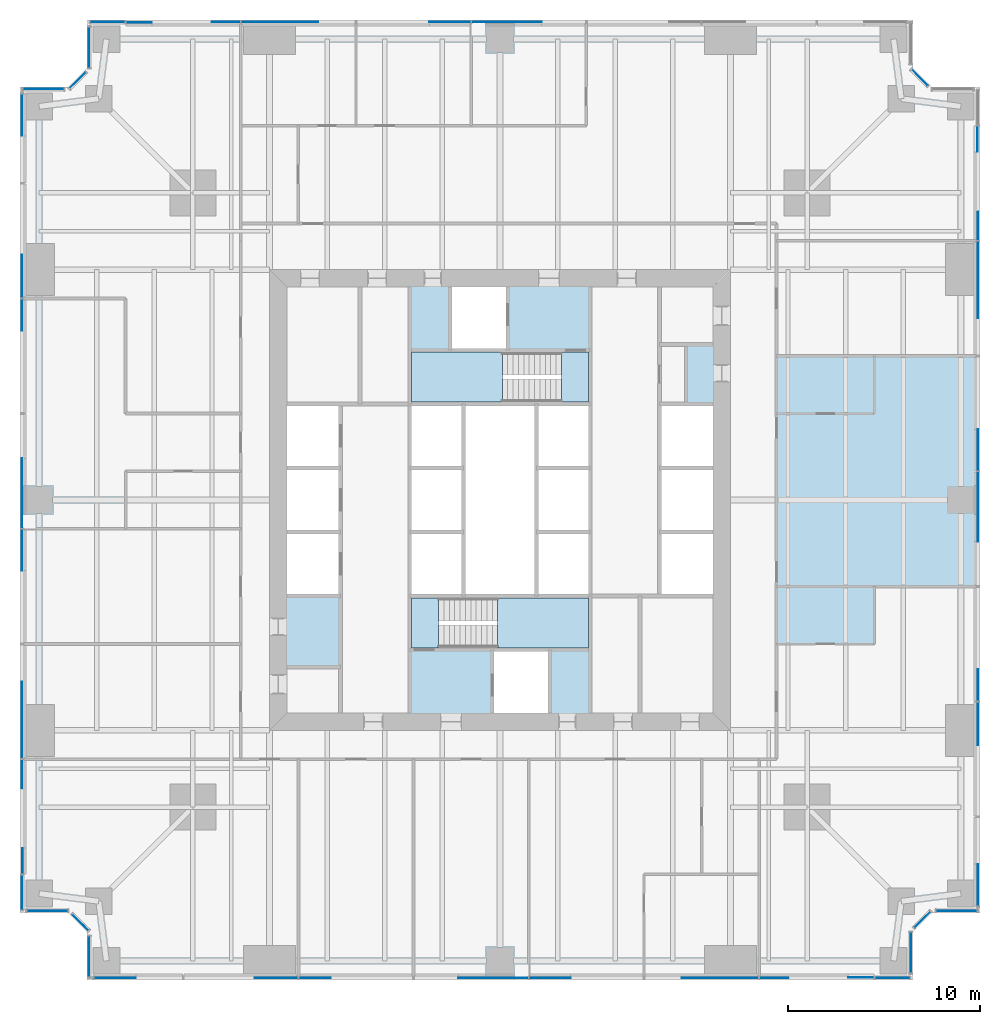
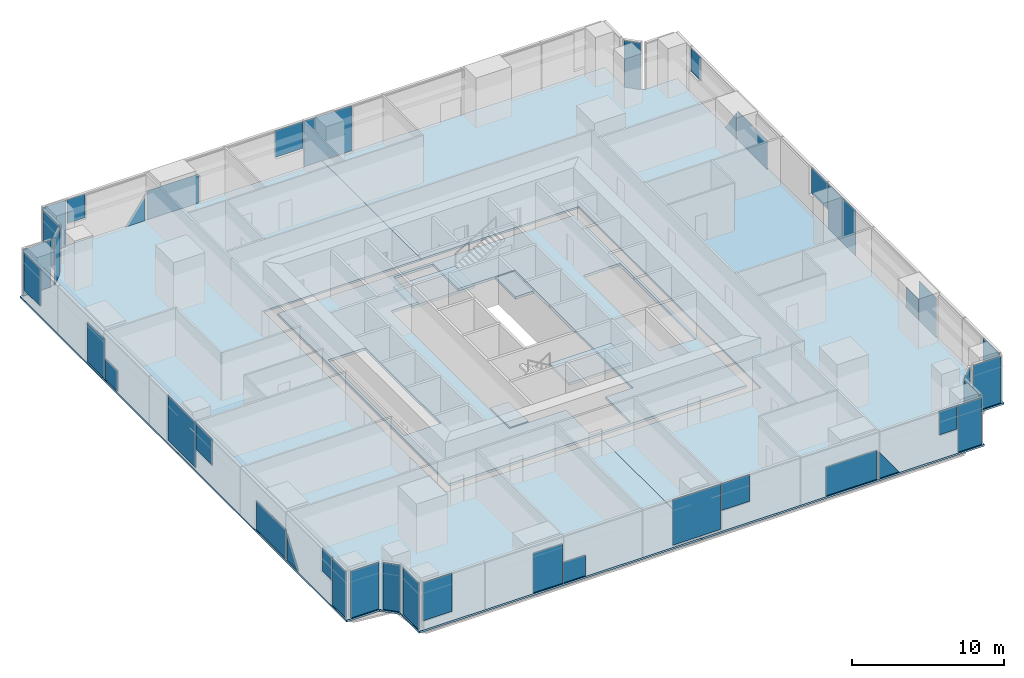
# One storey, part 8 of 14: 42 plates, 7 slabs, 16 elements without a shape of their own.
"""IFC4 building model written with IfcOpenShell, lengths in metres."""

from ifc_helpers import new_model, si_unit, direction, frame, origin, origin_2d, place, context, subcontext, project, spatial, polyline, rectangle, outline, extrude, material, layer, layer_set, type_object, element, aggregate, save


model = new_model("IFC4")

# Units and contexts
model_context = context("Model", 3, precision=1e-05, world=origin(), true_north=direction((0.0, 1.0)))
body_context = subcontext(model_context, "Body", "Model", "MODEL_VIEW")
ifc_project = project(units=[si_unit("LENGTHUNIT", "METRE"), si_unit("AREAUNIT", "SQUARE_METRE"), si_unit("VOLUMEUNIT", "CUBIC_METRE"), si_unit("PLANEANGLEUNIT", "RADIAN"), si_unit("MASSUNIT", "GRAM", prefix="KILO")], contexts=[model_context])

# Site, building, storey
site_placement = place(None, origin())
site = spatial("IfcSite", under=ifc_project, at=site_placement, CompositionType="ELEMENT")
building_placement = place(site_placement, origin())
building = spatial("IfcBuilding", under=site, at=building_placement, Name="Fenwick Lantern Interchange", CompositionType="ELEMENT")
storey_placement = place(building_placement, frame((0.0, 0.0, 71.0)))
storey = spatial("IfcBuildingStorey", under=building, at=storey_placement, Name="L16", CompositionType="ELEMENT", Elevation=71.0)

# Slabs
ifc_material_1 = material(Name="Concrete f'c 35 MPa", Category="concrete")
ifc_layer_1 = layer(ifc_material_1, 0.199951171875)
ifc_layer_set_1 = layer_set([ifc_layer_1], Name="CORE FLOOR SLAB 200")
slab_type_1 = type_object("IfcSlabType", Name="CORE FLOOR SLAB 200", PredefinedType="FLOOR", material=ifc_layer_set_1)
slab_1_placement = place(storey_placement, frame((0.0, 0.0, -0.199951171875)))
element("IfcSlab", 1, at=slab_1_placement, inside=storey, type_object=slab_type_1, Name="L16/SLAB/CORE", PredefinedType="FLOOR", context=body_context, shape_type="SweptSolid", body=[
    extrude(outline(polyline([(13.699951171875, 36.300048828125), (36.300048828125, 36.300048828125), (36.300048828125, 13.699951171875), (13.699951171875, 13.699951171875), (13.699951171875, 36.300048828125)]), holes=[polyline([(13.89990234375, 20.0), (16.699951171875, 20.0), (16.699951171875, 23.333251953125), (16.699951171875, 26.666748046875), (16.699951171875, 30.0), (13.89990234375, 30.0), (13.89990234375, 26.666748046875), (13.89990234375, 23.333251953125), (13.89990234375, 20.0)]), polyline([(20.300048828125, 20.0), (20.300048828125, 17.199951171875), (24.60009765625, 17.199951171875), (24.60009765625, 13.89990234375), (27.60009765625, 13.89990234375), (27.60009765625, 17.199951171875), (29.699951171875, 17.199951171875), (29.699951171875, 20.0), (29.699951171875, 23.333251953125), (29.699951171875, 26.666748046875), (29.699951171875, 30.0), (29.699951171875, 32.800048828125), (25.39990234375, 32.800048828125), (25.39990234375, 36.10009765625), (22.39990234375, 36.10009765625), (22.39990234375, 32.800048828125), (20.300048828125, 32.800048828125), (20.300048828125, 30.0), (20.300048828125, 26.666748046875), (20.300048828125, 23.333251953125), (20.300048828125, 20.0)]), polyline([(33.300048828125, 23.333251953125), (33.300048828125, 20.0), (36.10009765625, 20.0), (36.10009765625, 23.333251953125), (36.10009765625, 26.666748046875), (36.10009765625, 30.0), (33.300048828125, 30.0), (33.300048828125, 26.666748046875), (33.300048828125, 23.333251953125)])]), origin(), (0.0, 0.0, 1.0), 0.199951171875),
])
ifc_material_2 = material(Name="Concrete f'c 35 MPa", Category="concrete")
ifc_layer_2 = layer(ifc_material_2, 0.14990234375)
ifc_layer_set_2 = layer_set([ifc_layer_2], Name="Concrete f'c 35 MPa")
slab_type_2 = type_object("IfcSlabType", Name="FLOOR SLAB 150", PredefinedType="FLOOR", material=ifc_layer_set_2)
slab_2_placement = place(storey_placement, frame((0.0, 0.0, -0.14990234375)))
element("IfcSlab", 2, at=slab_2_placement, inside=storey, type_object=slab_type_2, Name="L16/SLAB/FW", PredefinedType="FLOOR", context=body_context, shape_type="SweptSolid", body=[
    extrude(outline(polyline([(3.5, 0.0), (3.5, 2.5), (2.5, 3.5), (0.0, 3.5), (0.0, 46.5), (2.5, 46.5), (3.5, 47.5), (3.5, 50.0), (25.0, 50.0), (25.0, 37.0), (13.0, 37.0), (13.0, 13.0), (25.0, 13.0), (25.0, 0.0), (3.5, 0.0)])), origin(), (0.0, 0.0, 1.0), 0.14990234375),
])
slab_3_placement = place(storey_placement, frame((0.0, 0.0, -0.14990234375)))
element("IfcSlab", 3, at=slab_3_placement, inside=storey, type_object=slab_type_2, Name="L16/SLAB/FE", PredefinedType="FLOOR", context=body_context, shape_type="SweptSolid", body=[
    extrude(outline(polyline([(46.5, 50.0), (46.5, 47.5), (47.5, 46.5), (50.0, 46.5), (50.0, 3.5), (47.5, 3.5), (46.5, 2.5), (46.5, 0.0), (25.0, 0.0), (25.0, 13.0), (37.0, 13.0), (37.0, 37.0), (25.0, 37.0), (25.0, 50.0), (46.5, 50.0)])), origin(), (0.0, 0.0, 1.0), 0.14990234375),
])

# Curtain wall, plates
ifc_material_3 = material(Name="Aluminium curtain wall frame", Category="aluminium")
curtain_wall_type = type_object("IfcCurtainWallType", Name="OFFICE CURTAIN WALL", PredefinedType="USERDEFINED", material=ifc_material_3)
curtain_wall_1_placement = place(storey_placement, origin())
curtain_wall_1 = element("IfcCurtainWall", 4, at=curtain_wall_1_placement, inside=storey, type_object=curtain_wall_type, Name="Office curtain wall 01", ObjectType="OFFICE CURTAIN WALL", PredefinedType="USERDEFINED")
ifc_material_4 = material(Name="Vision glass, clear low-iron double glazed", Category="glass")
ifc_layer_3 = layer(ifc_material_4, 0.031982421875)
ifc_layer_set_3 = layer_set([ifc_layer_3], Name="OFFICE CURTAIN WALL PANEL 32")
plate_type = type_object("IfcPlateType", Name="OFFICE CURTAIN WALL PANEL 32", PredefinedType="CURTAIN_PANEL", material=ifc_layer_set_3)
plate_1_placement = place(storey_placement, frame((3.60009765625, 0.10009765625, 0.68212890625), z_axis=(0.0, 0.0, 1.0), x_axis=(1.0, 0.0, 0.0)))
plate_1 = element("IfcPlate", 5, at=plate_1_placement, type_object=plate_type, Name="L16/CW/01/P00a", PredefinedType="CURTAIN_PANEL", context=body_context, shape_type="SweptSolid", body=[
    extrude(outline(polyline([(0.264892578125, 0.0), (2.43994140625, 0.0), (2.43994140625, 3.06787109375), (0.264892578125, 3.06787109375), (0.264892578125, 0.0)])), frame((0.0, 0.01611328125, 0.0), z_axis=(0.0, -1.0, 0.0), x_axis=(1.0, 0.0, 0.0)), (0.0, 0.0, 1.0), 0.031982421875),
])
plate_2_placement = place(storey_placement, frame((3.60009765625, 0.10009765625, 0.0), z_axis=(0.0, 0.0, 1.0), x_axis=(1.0, 0.0, 0.0)))
plate_2 = element("IfcPlate", 6, at=plate_2_placement, type_object=plate_type, Name="L16/CW/01/P01a", PredefinedType="CURTAIN_PANEL", context=body_context, shape_type="SweptSolid", body=[
    extrude(outline(polyline([(8.618408203125, 0.0), (10.867431640625, 0.0), (10.867431640625, 3.176513671875), (8.618408203125, 3.176513671875), (8.618408203125, 0.0)])), frame((0.0, 0.01611328125, 0.0), z_axis=(0.0, -1.0, 0.0), x_axis=(1.0, 0.0, 0.0)), (0.0, 0.0, 1.0), 0.031982421875),
])
plate_3_placement = place(storey_placement, frame((3.60009765625, 0.10009765625, 0.0), z_axis=(0.0, 0.0, 1.0), x_axis=(1.0, 0.0, 0.0)))
plate_3 = element("IfcPlate", 7, at=plate_3_placement, type_object=plate_type, Name="L16/CW/01/P02a", PredefinedType="CURTAIN_PANEL", context=body_context, shape_type="SweptSolid", body=[
    extrude(outline(polyline([(10.9326171875, 0.0), (12.592529296875, 0.0), (12.592529296875, 1.656005859375), (10.9326171875, 1.656005859375), (10.9326171875, 0.0)])), frame((0.0, 0.01611328125, 0.0), z_axis=(0.0, -1.0, 0.0), x_axis=(1.0, 0.0, 0.0)), (0.0, 0.0, 1.0), 0.031982421875),
])
plate_4_placement = place(storey_placement, frame((3.60009765625, 0.10009765625, 0.112060546875), z_axis=(0.0, 0.0, 1.0), x_axis=(1.0, 0.0, 0.0)))
plate_4 = element("IfcPlate", 8, at=plate_4_placement, type_object=plate_type, Name="L16/CW/01/P03a", PredefinedType="CURTAIN_PANEL", context=body_context, shape_type="SweptSolid", body=[
    extrude(outline(polyline([(19.2275390625, 0.0), (22.867431640625, 0.0), (22.867431640625, 3.637939453125), (19.2275390625, 3.637939453125), (19.2275390625, 0.0)])), frame((0.0, 0.01611328125, 0.0), z_axis=(0.0, -1.0, 0.0), x_axis=(1.0, 0.0, 0.0)), (0.0, 0.0, 1.0), 0.031982421875),
])
plate_5_placement = place(storey_placement, frame((3.60009765625, 0.10009765625, 1.612060546875), z_axis=(0.0, 0.0, 1.0), x_axis=(1.0, 0.0, 0.0)))
plate_5 = element("IfcPlate", 9, at=plate_5_placement, type_object=plate_type, Name="L16/CW/01/P04a", PredefinedType="CURTAIN_PANEL", context=body_context, shape_type="SweptSolid", body=[
    extrude(outline(polyline([(22.9326171875, 0.0), (25.072509765625, 0.0), (25.072509765625, 2.137939453125), (22.9326171875, 2.137939453125), (22.9326171875, 0.0)])), frame((0.0, 0.01611328125, 0.0), z_axis=(0.0, -1.0, 0.0), x_axis=(1.0, 0.0, 0.0)), (0.0, 0.0, 1.0), 0.031982421875),
])
plate_6_placement = place(storey_placement, frame((3.60009765625, 0.10009765625, 0.0), z_axis=(0.0, 0.0, 1.0), x_axis=(1.0, 0.0, 0.0)))
plate_6 = element("IfcPlate", 10, at=plate_6_placement, type_object=plate_type, Name="L16/CW/01/P05a", PredefinedType="CURTAIN_PANEL", context=body_context, shape_type="SweptSolid", body=[
    extrude(outline(polyline([(30.87255859375, 0.0), (34.78759765625, 0.0), (34.78759765625, 2.32080078125), (30.87255859375, 2.32080078125), (30.87255859375, 0.0)])), frame((0.0, 0.01611328125, 0.0), z_axis=(0.0, -1.0, 0.0), x_axis=(1.0, 0.0, 0.0)), (0.0, 0.0, 1.0), 0.031982421875),
])
plate_7_placement = place(storey_placement, frame((3.60009765625, 0.10009765625, 0.0), z_axis=(0.0, 0.0, 1.0), x_axis=(1.0, 0.0, 0.0)))
plate_7 = element("IfcPlate", 11, at=plate_7_placement, type_object=plate_type, Name="L16/CW/01/P06a", PredefinedType="CURTAIN_PANEL", context=body_context, shape_type="SweptSolid", body=[
    extrude(outline(polyline([(34.9326171875, 0.0), (36.431640625, 0.0), (34.9326171875, 2.116455078125), (34.9326171875, 0.0)])), frame((0.0, 0.01611328125, 0.0), z_axis=(0.0, -1.0, 0.0), x_axis=(1.0, 0.0, 0.0)), (0.0, 0.0, 1.0), 0.031982421875),
])
plate_8_placement = place(storey_placement, frame((3.60009765625, 0.10009765625, 1.858154296875), z_axis=(0.0, 0.0, 1.0), x_axis=(1.0, 0.0, 0.0)))
plate_8 = element("IfcPlate", 12, at=plate_8_placement, type_object=plate_type, Name="L16/CW/01/P06b", PredefinedType="CURTAIN_PANEL", context=body_context, shape_type="SweptSolid", body=[
    extrude(outline(polyline([(39.527099609375, 0.0), (40.867431640625, 0.0), (40.867431640625, 1.891845703125), (39.527099609375, 1.891845703125), (39.527099609375, 0.0)])), frame((0.0, 0.0498046875, 0.0), z_axis=(0.0, -1.0, 0.0), x_axis=(1.0, 0.0, 0.0)), (0.0, 0.0, 1.0), 0.031982421875),
])
plate_9_placement = place(storey_placement, frame((45.433837890625, 0.10009765625, 0.0), z_axis=(0.0, 0.0, 1.0), x_axis=(1.0, 0.0, 0.0)))
plate_9 = element("IfcPlate", 13, at=plate_9_placement, type_object=plate_type, Name="L16/CW/01/P07", PredefinedType="CURTAIN_PANEL", context=body_context, shape_type="SweptSolid", body=[
    extrude(rectangle(XDim=1.802490234375, YDim=0.031982421875, at=origin_2d()), origin(), (0.0, 0.0, 1.0), 3.75),
])
aggregate(curtain_wall_1, [plate_1, plate_2, plate_3, plate_4, plate_5, plate_6, plate_7, plate_8, plate_9])

# Curtain wall, plate
curtain_wall_2_placement = place(storey_placement, origin())
curtain_wall_2 = element("IfcCurtainWall", 14, at=curtain_wall_2_placement, inside=storey, type_object=curtain_wall_type, Name="Office curtain wall 02", ObjectType="OFFICE CURTAIN WALL", PredefinedType="USERDEFINED")
plate_10_placement = place(storey_placement, frame((46.39990234375, 1.420654296875, 0.0), z_axis=(0.0, 0.0, 1.0), x_axis=(0.0, 1.0, 0.0)))
plate_10 = element("IfcPlate", 15, at=plate_10_placement, type_object=plate_type, Name="L16/CW/02/P00", PredefinedType="CURTAIN_PANEL", context=body_context, shape_type="SweptSolid", body=[
    extrude(rectangle(XDim=2.111328125, YDim=0.031982421875, at=origin_2d()), origin(), (0.0, 0.0, 1.0), 3.75),
])
aggregate(curtain_wall_2, [plate_10])

curtain_wall_3_placement = place(storey_placement, origin())
curtain_wall_3 = element("IfcCurtainWall", 16, at=curtain_wall_3_placement, inside=storey, type_object=curtain_wall_type, Name="Office curtain wall 03", ObjectType="OFFICE CURTAIN WALL", PredefinedType="USERDEFINED")
plate_11_placement = place(storey_placement, frame((47.0, 3.141357421875, 0.0), z_axis=(0.0, 0.0, 1.0), x_axis=(0.707106781187, 0.707106781187, 0.0)))
plate_11 = element("IfcPlate", 17, at=plate_11_placement, type_object=plate_type, Name="L16/CW/03/P00", PredefinedType="CURTAIN_PANEL", context=body_context, shape_type="SweptSolid", body=[
    extrude(rectangle(XDim=1.1669921875, YDim=0.031982421875, at=origin_2d()), origin(), (0.0, 0.0, 1.0), 3.75),
])
aggregate(curtain_wall_3, [plate_11])

curtain_wall_4_placement = place(storey_placement, origin())
curtain_wall_4 = element("IfcCurtainWall", 18, at=curtain_wall_4_placement, inside=storey, type_object=curtain_wall_type, Name="Office curtain wall 04", ObjectType="OFFICE CURTAIN WALL", PredefinedType="USERDEFINED")
plate_12_placement = place(storey_placement, frame((48.779296875, 3.60009765625, 0.0), z_axis=(0.0, 0.0, 1.0), x_axis=(1.0, 0.0, 0.0)))
plate_12 = element("IfcPlate", 19, at=plate_12_placement, type_object=plate_type, Name="L16/CW/04/P00", PredefinedType="CURTAIN_PANEL", context=body_context, shape_type="SweptSolid", body=[
    extrude(rectangle(XDim=2.111328125, YDim=0.031982421875, at=origin_2d()), origin(), (0.0, 0.0, 1.0), 3.75),
])
aggregate(curtain_wall_4, [plate_12])

# Curtain wall, plates
curtain_wall_5_placement = place(storey_placement, origin())
curtain_wall_5 = element("IfcCurtainWall", 20, at=curtain_wall_5_placement, inside=storey, type_object=curtain_wall_type, Name="Office curtain wall 05", ObjectType="OFFICE CURTAIN WALL", PredefinedType="USERDEFINED")
plate_13_placement = place(storey_placement, frame((49.89990234375, 3.60009765625, 0.68212890625), z_axis=(0.0, 0.0, 1.0), x_axis=(0.0, 1.0, 0.0)))
plate_13 = element("IfcPlate", 21, at=plate_13_placement, type_object=plate_type, Name="L16/CW/05/P00a", PredefinedType="CURTAIN_PANEL", context=body_context, shape_type="SweptSolid", body=[
    extrude(outline(polyline([(0.264892578125, 0.0), (2.43994140625, 0.0), (2.43994140625, 3.06787109375), (0.264892578125, 3.06787109375), (0.264892578125, 0.0)])), frame((0.0, 0.01611328125, 0.0), z_axis=(0.0, -1.0, 0.0), x_axis=(1.0, 0.0, 0.0)), (0.0, 0.0, 1.0), 0.031982421875),
])
plate_14_placement = place(storey_placement, frame((49.89990234375, 3.60009765625, 0.0), z_axis=(0.0, 0.0, 1.0), x_axis=(0.0, 1.0, 0.0)))
plate_14 = element("IfcPlate", 22, at=plate_14_placement, type_object=plate_type, Name="L16/CW/05/P01a", PredefinedType="CURTAIN_PANEL", context=body_context, shape_type="SweptSolid", body=[
    extrude(outline(polyline([(8.618408203125, 0.0), (10.867431640625, 0.0), (10.867431640625, 3.176513671875), (8.618408203125, 3.176513671875), (8.618408203125, 0.0)])), frame((0.0, 0.01611328125, 0.0), z_axis=(0.0, -1.0, 0.0), x_axis=(1.0, 0.0, 0.0)), (0.0, 0.0, 1.0), 0.031982421875),
])
plate_15_placement = place(storey_placement, frame((49.89990234375, 3.60009765625, 0.0), z_axis=(0.0, 0.0, 1.0), x_axis=(0.0, 1.0, 0.0)))
plate_15 = element("IfcPlate", 23, at=plate_15_placement, type_object=plate_type, Name="L16/CW/05/P02a", PredefinedType="CURTAIN_PANEL", context=body_context, shape_type="SweptSolid", body=[
    extrude(outline(polyline([(10.9326171875, 0.0), (12.592529296875, 0.0), (12.592529296875, 1.656005859375), (10.9326171875, 1.656005859375), (10.9326171875, 0.0)])), frame((0.0, 0.01611328125, 0.0), z_axis=(0.0, -1.0, 0.0), x_axis=(1.0, 0.0, 0.0)), (0.0, 0.0, 1.0), 0.031982421875),
])
plate_16_placement = place(storey_placement, frame((49.89990234375, 3.60009765625, 0.112060546875), z_axis=(0.0, 0.0, 1.0), x_axis=(0.0, 1.0, 0.0)))
plate_16 = element("IfcPlate", 24, at=plate_16_placement, type_object=plate_type, Name="L16/CW/05/P03a", PredefinedType="CURTAIN_PANEL", context=body_context, shape_type="SweptSolid", body=[
    extrude(outline(polyline([(19.2275390625, 0.0), (22.867431640625, 0.0), (22.867431640625, 3.637939453125), (19.2275390625, 3.637939453125), (19.2275390625, 0.0)])), frame((0.0, 0.01611328125, 0.0), z_axis=(0.0, -1.0, 0.0), x_axis=(1.0, 0.0, 0.0)), (0.0, 0.0, 1.0), 0.031982421875),
])
plate_17_placement = place(storey_placement, frame((49.89990234375, 3.60009765625, 1.612060546875), z_axis=(0.0, 0.0, 1.0), x_axis=(0.0, 1.0, 0.0)))
plate_17 = element("IfcPlate", 25, at=plate_17_placement, type_object=plate_type, Name="L16/CW/05/P04a", PredefinedType="CURTAIN_PANEL", context=body_context, shape_type="SweptSolid", body=[
    extrude(outline(polyline([(22.9326171875, 0.0), (25.072509765625, 0.0), (25.072509765625, 2.137939453125), (22.9326171875, 2.137939453125), (22.9326171875, 0.0)])), frame((0.0, 0.01611328125, 0.0), z_axis=(0.0, -1.0, 0.0), x_axis=(1.0, 0.0, 0.0)), (0.0, 0.0, 1.0), 0.031982421875),
])
plate_18_placement = place(storey_placement, frame((49.89990234375, 3.60009765625, 0.0), z_axis=(0.0, 0.0, 1.0), x_axis=(0.0, 1.0, 0.0)))
plate_18 = element("IfcPlate", 26, at=plate_18_placement, type_object=plate_type, Name="L16/CW/05/P05a", PredefinedType="CURTAIN_PANEL", context=body_context, shape_type="SweptSolid", body=[
    extrude(outline(polyline([(30.87255859375, 0.0), (34.78759765625, 0.0), (34.78759765625, 2.32080078125), (30.87255859375, 2.32080078125), (30.87255859375, 0.0)])), frame((0.0, 0.01611328125, 0.0), z_axis=(0.0, -1.0, 0.0), x_axis=(1.0, 0.0, 0.0)), (0.0, 0.0, 1.0), 0.031982421875),
])
plate_19_placement = place(storey_placement, frame((49.89990234375, 3.60009765625, 0.0), z_axis=(0.0, 0.0, 1.0), x_axis=(0.0, 1.0, 0.0)))
plate_19 = element("IfcPlate", 27, at=plate_19_placement, type_object=plate_type, Name="L16/CW/05/P06a", PredefinedType="CURTAIN_PANEL", context=body_context, shape_type="SweptSolid", body=[
    extrude(outline(polyline([(34.9326171875, 0.0), (36.431640625, 0.0), (34.9326171875, 2.116455078125), (34.9326171875, 0.0)])), frame((0.0, 0.01611328125, 0.0), z_axis=(0.0, -1.0, 0.0), x_axis=(1.0, 0.0, 0.0)), (0.0, 0.0, 1.0), 0.031982421875),
])
plate_20_placement = place(storey_placement, frame((49.89990234375, 3.60009765625, 1.858154296875), z_axis=(0.0, 0.0, 1.0), x_axis=(0.0, 1.0, 0.0)))
plate_20 = element("IfcPlate", 28, at=plate_20_placement, type_object=plate_type, Name="L16/CW/05/P06b", PredefinedType="CURTAIN_PANEL", context=body_context, shape_type="SweptSolid", body=[
    extrude(outline(polyline([(39.527099609375, 0.0), (40.867431640625, 0.0), (40.867431640625, 1.891845703125), (39.527099609375, 1.891845703125), (39.527099609375, 0.0)])), frame((0.0, 0.0498046875, 0.0), z_axis=(0.0, -1.0, 0.0), x_axis=(1.0, 0.0, 0.0)), (0.0, 0.0, 1.0), 0.031982421875),
])
aggregate(curtain_wall_5, [plate_13, plate_14, plate_15, plate_16, plate_17, plate_18, plate_19, plate_20])

# Curtain wall, plate
curtain_wall_6_placement = place(storey_placement, origin())
curtain_wall_6 = element("IfcCurtainWall", 29, at=curtain_wall_6_placement, inside=storey, type_object=curtain_wall_type, Name="Office curtain wall 07", ObjectType="OFFICE CURTAIN WALL", PredefinedType="USERDEFINED")
plate_21_placement = place(storey_placement, frame((46.858642578125, 47.0, 0.0), z_axis=(0.0, 0.0, 1.0), x_axis=(-0.707106781187, 0.707106781187, 0.0)))
plate_21 = element("IfcPlate", 30, at=plate_21_placement, type_object=plate_type, Name="L16/CW/07/P00", PredefinedType="CURTAIN_PANEL", context=body_context, shape_type="SweptSolid", body=[
    extrude(rectangle(XDim=1.1669921875, YDim=0.031982421875, at=origin_2d()), origin(), (0.0, 0.0, 1.0), 3.75),
])
aggregate(curtain_wall_6, [plate_21])

# Curtain wall, plates
curtain_wall_7_placement = place(storey_placement, origin())
curtain_wall_7 = element("IfcCurtainWall", 31, at=curtain_wall_7_placement, inside=storey, type_object=curtain_wall_type, Name="Office curtain wall 09", ObjectType="OFFICE CURTAIN WALL", PredefinedType="USERDEFINED")
plate_22_placement = place(storey_placement, frame((46.39990234375, 49.89990234375, 0.112060546875), z_axis=(0.0, 0.0, 1.0), x_axis=(-1.0, 0.0, 0.0)))
plate_22 = element("IfcPlate", 32, at=plate_22_placement, type_object=plate_type, Name="L16/CW/09/P03a", PredefinedType="CURTAIN_PANEL", context=body_context, shape_type="SweptSolid", body=[
    extrude(outline(polyline([(19.2275390625, 0.0), (22.867431640625, 0.0), (22.867431640625, 3.637939453125), (19.2275390625, 3.637939453125), (19.2275390625, 0.0)])), frame((0.0, 0.01611328125, 0.0), z_axis=(0.0, -1.0, 0.0), x_axis=(1.0, 0.0, 0.0)), (0.0, 0.0, 1.0), 0.031982421875),
])
plate_23_placement = place(storey_placement, frame((46.39990234375, 49.89990234375, 1.612060546875), z_axis=(0.0, 0.0, 1.0), x_axis=(-1.0, 0.0, 0.0)))
plate_23 = element("IfcPlate", 33, at=plate_23_placement, type_object=plate_type, Name="L16/CW/09/P04a", PredefinedType="CURTAIN_PANEL", context=body_context, shape_type="SweptSolid", body=[
    extrude(outline(polyline([(22.9326171875, 0.0), (25.072509765625, 0.0), (25.072509765625, 2.137939453125), (22.9326171875, 2.137939453125), (22.9326171875, 0.0)])), frame((0.0, 0.01611328125, 0.0), z_axis=(0.0, -1.0, 0.0), x_axis=(1.0, 0.0, 0.0)), (0.0, 0.0, 1.0), 0.031982421875),
])
plate_24_placement = place(storey_placement, frame((46.39990234375, 49.89990234375, 0.0), z_axis=(0.0, 0.0, 1.0), x_axis=(-1.0, 0.0, 0.0)))
plate_24 = element("IfcPlate", 34, at=plate_24_placement, type_object=plate_type, Name="L16/CW/09/P05a", PredefinedType="CURTAIN_PANEL", context=body_context, shape_type="SweptSolid", body=[
    extrude(outline(polyline([(30.87255859375, 0.0), (34.78759765625, 0.0), (34.78759765625, 2.32080078125), (30.87255859375, 2.32080078125), (30.87255859375, 0.0)])), frame((0.0, 0.01611328125, 0.0), z_axis=(0.0, -1.0, 0.0), x_axis=(1.0, 0.0, 0.0)), (0.0, 0.0, 1.0), 0.031982421875),
])
plate_25_placement = place(storey_placement, frame((46.39990234375, 49.89990234375, 0.0), z_axis=(0.0, 0.0, 1.0), x_axis=(-1.0, 0.0, 0.0)))
plate_25 = element("IfcPlate", 35, at=plate_25_placement, type_object=plate_type, Name="L16/CW/09/P06a", PredefinedType="CURTAIN_PANEL", context=body_context, shape_type="SweptSolid", body=[
    extrude(outline(polyline([(34.9326171875, 0.0), (36.431640625, 0.0), (34.9326171875, 2.116455078125), (34.9326171875, 0.0)])), frame((0.0, 0.01611328125, 0.0), z_axis=(0.0, -1.0, 0.0), x_axis=(1.0, 0.0, 0.0)), (0.0, 0.0, 1.0), 0.031982421875),
])
plate_26_placement = place(storey_placement, frame((46.39990234375, 49.89990234375, 1.858154296875), z_axis=(0.0, 0.0, 1.0), x_axis=(-1.0, 0.0, 0.0)))
plate_26 = element("IfcPlate", 36, at=plate_26_placement, type_object=plate_type, Name="L16/CW/09/P06b", PredefinedType="CURTAIN_PANEL", context=body_context, shape_type="SweptSolid", body=[
    extrude(outline(polyline([(39.527099609375, 0.0), (40.867431640625, 0.0), (40.867431640625, 1.891845703125), (39.527099609375, 1.891845703125), (39.527099609375, 0.0)])), frame((0.0, 0.0498046875, 0.0), z_axis=(0.0, -1.0, 0.0), x_axis=(1.0, 0.0, 0.0)), (0.0, 0.0, 1.0), 0.031982421875),
])
plate_27_placement = place(storey_placement, frame((4.566162109375, 49.89990234375, 0.0), z_axis=(0.0, 0.0, 1.0), x_axis=(-1.0, 0.0, 0.0)))
plate_27 = element("IfcPlate", 37, at=plate_27_placement, type_object=plate_type, Name="L16/CW/09/P07", PredefinedType="CURTAIN_PANEL", context=body_context, shape_type="SweptSolid", body=[
    extrude(rectangle(XDim=1.802490234375, YDim=0.031982421875, at=origin_2d()), origin(), (0.0, 0.0, 1.0), 3.75),
])
aggregate(curtain_wall_7, [plate_22, plate_23, plate_24, plate_25, plate_26, plate_27])

# Curtain wall, plate
curtain_wall_8_placement = place(storey_placement, origin())
curtain_wall_8 = element("IfcCurtainWall", 38, at=curtain_wall_8_placement, inside=storey, type_object=curtain_wall_type, Name="Office curtain wall 10", ObjectType="OFFICE CURTAIN WALL", PredefinedType="USERDEFINED")
plate_28_placement = place(storey_placement, frame((3.60009765625, 48.579345703125, 0.0), z_axis=(0.0, 0.0, 1.0), x_axis=(0.0, -1.0, 0.0)))
plate_28 = element("IfcPlate", 39, at=plate_28_placement, type_object=plate_type, Name="L16/CW/10/P00", PredefinedType="CURTAIN_PANEL", context=body_context, shape_type="SweptSolid", body=[
    extrude(rectangle(XDim=2.111328125, YDim=0.031982421875, at=origin_2d()), origin(), (0.0, 0.0, 1.0), 3.75),
])
aggregate(curtain_wall_8, [plate_28])

curtain_wall_9_placement = place(storey_placement, origin())
curtain_wall_9 = element("IfcCurtainWall", 40, at=curtain_wall_9_placement, inside=storey, type_object=curtain_wall_type, Name="Office curtain wall 11", ObjectType="OFFICE CURTAIN WALL", PredefinedType="USERDEFINED")
plate_29_placement = place(storey_placement, frame((3.0, 46.858642578125, 0.0), z_axis=(0.0, 0.0, 1.0), x_axis=(-0.707106781187, -0.707106781187, 0.0)))
plate_29 = element("IfcPlate", 41, at=plate_29_placement, type_object=plate_type, Name="L16/CW/11/P00", PredefinedType="CURTAIN_PANEL", context=body_context, shape_type="SweptSolid", body=[
    extrude(rectangle(XDim=1.1669921875, YDim=0.031982421875, at=origin_2d()), origin(), (0.0, 0.0, 1.0), 3.75),
])
aggregate(curtain_wall_9, [plate_29])

curtain_wall_10_placement = place(storey_placement, origin())
curtain_wall_10 = element("IfcCurtainWall", 42, at=curtain_wall_10_placement, inside=storey, type_object=curtain_wall_type, Name="Office curtain wall 12", ObjectType="OFFICE CURTAIN WALL", PredefinedType="USERDEFINED")
plate_30_placement = place(storey_placement, frame((1.220703125, 46.39990234375, 0.0), z_axis=(0.0, 0.0, 1.0), x_axis=(-1.0, 0.0, 0.0)))
plate_30 = element("IfcPlate", 43, at=plate_30_placement, type_object=plate_type, Name="L16/CW/12/P00", PredefinedType="CURTAIN_PANEL", context=body_context, shape_type="SweptSolid", body=[
    extrude(rectangle(XDim=2.111328125, YDim=0.031982421875, at=origin_2d()), origin(), (0.0, 0.0, 1.0), 3.75),
])
aggregate(curtain_wall_10, [plate_30])

# Curtain wall, plates
curtain_wall_11_placement = place(storey_placement, origin())
curtain_wall_11 = element("IfcCurtainWall", 44, at=curtain_wall_11_placement, inside=storey, type_object=curtain_wall_type, Name="Office curtain wall 13", ObjectType="OFFICE CURTAIN WALL", PredefinedType="USERDEFINED")
plate_31_placement = place(storey_placement, frame((0.10009765625, 46.39990234375, 0.68212890625), z_axis=(0.0, 0.0, 1.0), x_axis=(0.0, -1.0, 0.0)))
plate_31 = element("IfcPlate", 45, at=plate_31_placement, type_object=plate_type, Name="L16/CW/13/P00a", PredefinedType="CURTAIN_PANEL", context=body_context, shape_type="SweptSolid", body=[
    extrude(outline(polyline([(0.264892578125, 0.0), (2.43994140625, 0.0), (2.43994140625, 3.06787109375), (0.264892578125, 3.06787109375), (0.264892578125, 0.0)])), frame((0.0, 0.01611328125, 0.0), z_axis=(0.0, -1.0, 0.0), x_axis=(1.0, 0.0, 0.0)), (0.0, 0.0, 1.0), 0.031982421875),
])
plate_32_placement = place(storey_placement, frame((0.10009765625, 46.39990234375, 0.0), z_axis=(0.0, 0.0, 1.0), x_axis=(0.0, -1.0, 0.0)))
plate_32 = element("IfcPlate", 46, at=plate_32_placement, type_object=plate_type, Name="L16/CW/13/P01a", PredefinedType="CURTAIN_PANEL", context=body_context, shape_type="SweptSolid", body=[
    extrude(outline(polyline([(8.618408203125, 0.0), (10.867431640625, 0.0), (10.867431640625, 3.176513671875), (8.618408203125, 3.176513671875), (8.618408203125, 0.0)])), frame((0.0, 0.01611328125, 0.0), z_axis=(0.0, -1.0, 0.0), x_axis=(1.0, 0.0, 0.0)), (0.0, 0.0, 1.0), 0.031982421875),
])
plate_33_placement = place(storey_placement, frame((0.10009765625, 46.39990234375, 0.0), z_axis=(0.0, 0.0, 1.0), x_axis=(0.0, -1.0, 0.0)))
plate_33 = element("IfcPlate", 47, at=plate_33_placement, type_object=plate_type, Name="L16/CW/13/P02a", PredefinedType="CURTAIN_PANEL", context=body_context, shape_type="SweptSolid", body=[
    extrude(outline(polyline([(10.9326171875, 0.0), (12.592529296875, 0.0), (12.592529296875, 1.656005859375), (10.9326171875, 1.656005859375), (10.9326171875, 0.0)])), frame((0.0, 0.01611328125, 0.0), z_axis=(0.0, -1.0, 0.0), x_axis=(1.0, 0.0, 0.0)), (0.0, 0.0, 1.0), 0.031982421875),
])
plate_34_placement = place(storey_placement, frame((0.10009765625, 46.39990234375, 0.112060546875), z_axis=(0.0, 0.0, 1.0), x_axis=(0.0, -1.0, 0.0)))
plate_34 = element("IfcPlate", 48, at=plate_34_placement, type_object=plate_type, Name="L16/CW/13/P03a", PredefinedType="CURTAIN_PANEL", context=body_context, shape_type="SweptSolid", body=[
    extrude(outline(polyline([(19.2275390625, 0.0), (22.867431640625, 0.0), (22.867431640625, 3.637939453125), (19.2275390625, 3.637939453125), (19.2275390625, 0.0)])), frame((0.0, 0.01611328125, 0.0), z_axis=(0.0, -1.0, 0.0), x_axis=(1.0, 0.0, 0.0)), (0.0, 0.0, 1.0), 0.031982421875),
])
plate_35_placement = place(storey_placement, frame((0.10009765625, 46.39990234375, 1.612060546875), z_axis=(0.0, 0.0, 1.0), x_axis=(0.0, -1.0, 0.0)))
plate_35 = element("IfcPlate", 49, at=plate_35_placement, type_object=plate_type, Name="L16/CW/13/P04a", PredefinedType="CURTAIN_PANEL", context=body_context, shape_type="SweptSolid", body=[
    extrude(outline(polyline([(22.9326171875, 0.0), (25.072509765625, 0.0), (25.072509765625, 2.137939453125), (22.9326171875, 2.137939453125), (22.9326171875, 0.0)])), frame((0.0, 0.01611328125, 0.0), z_axis=(0.0, -1.0, 0.0), x_axis=(1.0, 0.0, 0.0)), (0.0, 0.0, 1.0), 0.031982421875),
])
plate_36_placement = place(storey_placement, frame((0.10009765625, 46.39990234375, 0.0), z_axis=(0.0, 0.0, 1.0), x_axis=(0.0, -1.0, 0.0)))
plate_36 = element("IfcPlate", 50, at=plate_36_placement, type_object=plate_type, Name="L16/CW/13/P05a", PredefinedType="CURTAIN_PANEL", context=body_context, shape_type="SweptSolid", body=[
    extrude(outline(polyline([(30.87255859375, 0.0), (34.78759765625, 0.0), (34.78759765625, 2.32080078125), (30.87255859375, 2.32080078125), (30.87255859375, 0.0)])), frame((0.0, 0.01611328125, 0.0), z_axis=(0.0, -1.0, 0.0), x_axis=(1.0, 0.0, 0.0)), (0.0, 0.0, 1.0), 0.031982421875),
])
plate_37_placement = place(storey_placement, frame((0.10009765625, 46.39990234375, 0.0), z_axis=(0.0, 0.0, 1.0), x_axis=(0.0, -1.0, 0.0)))
plate_37 = element("IfcPlate", 51, at=plate_37_placement, type_object=plate_type, Name="L16/CW/13/P06a", PredefinedType="CURTAIN_PANEL", context=body_context, shape_type="SweptSolid", body=[
    extrude(outline(polyline([(34.9326171875, 0.0), (36.431640625, 0.0), (34.9326171875, 2.116455078125), (34.9326171875, 0.0)])), frame((0.0, 0.01611328125, 0.0), z_axis=(0.0, -1.0, 0.0), x_axis=(1.0, 0.0, 0.0)), (0.0, 0.0, 1.0), 0.031982421875),
])
plate_38_placement = place(storey_placement, frame((0.10009765625, 46.39990234375, 1.858154296875), z_axis=(0.0, 0.0, 1.0), x_axis=(0.0, -1.0, 0.0)))
plate_38 = element("IfcPlate", 52, at=plate_38_placement, type_object=plate_type, Name="L16/CW/13/P06b", PredefinedType="CURTAIN_PANEL", context=body_context, shape_type="SweptSolid", body=[
    extrude(outline(polyline([(39.527099609375, 0.0), (40.867431640625, 0.0), (40.867431640625, 1.891845703125), (39.527099609375, 1.891845703125), (39.527099609375, 0.0)])), frame((0.0, 0.0498046875, 0.0), z_axis=(0.0, -1.0, 0.0), x_axis=(1.0, 0.0, 0.0)), (0.0, 0.0, 1.0), 0.031982421875),
])
plate_39_placement = place(storey_placement, frame((0.10009765625, 4.566162109375, 0.0), z_axis=(0.0, 0.0, 1.0), x_axis=(0.0, -1.0, 0.0)))
plate_39 = element("IfcPlate", 53, at=plate_39_placement, type_object=plate_type, Name="L16/CW/13/P07", PredefinedType="CURTAIN_PANEL", context=body_context, shape_type="SweptSolid", body=[
    extrude(rectangle(XDim=1.802490234375, YDim=0.031982421875, at=origin_2d()), origin(), (0.0, 0.0, 1.0), 3.75),
])
aggregate(curtain_wall_11, [plate_31, plate_32, plate_33, plate_34, plate_35, plate_36, plate_37, plate_38, plate_39])

# Curtain wall, plate
curtain_wall_12_placement = place(storey_placement, origin())
curtain_wall_12 = element("IfcCurtainWall", 54, at=curtain_wall_12_placement, inside=storey, type_object=curtain_wall_type, Name="Office curtain wall 14", ObjectType="OFFICE CURTAIN WALL", PredefinedType="USERDEFINED")
plate_40_placement = place(storey_placement, frame((1.420654296875, 3.60009765625, 0.0), z_axis=(0.0, 0.0, 1.0), x_axis=(1.0, 0.0, 0.0)))
plate_40 = element("IfcPlate", 55, at=plate_40_placement, type_object=plate_type, Name="L16/CW/14/P00", PredefinedType="CURTAIN_PANEL", context=body_context, shape_type="SweptSolid", body=[
    extrude(rectangle(XDim=2.111328125, YDim=0.031982421875, at=origin_2d()), origin(), (0.0, 0.0, 1.0), 3.75),
])
aggregate(curtain_wall_12, [plate_40])

curtain_wall_13_placement = place(storey_placement, origin())
curtain_wall_13 = element("IfcCurtainWall", 56, at=curtain_wall_13_placement, inside=storey, type_object=curtain_wall_type, Name="Office curtain wall 15", ObjectType="OFFICE CURTAIN WALL", PredefinedType="USERDEFINED")
plate_41_placement = place(storey_placement, frame((3.141357421875, 3.0, 0.0), z_axis=(0.0, 0.0, 1.0), x_axis=(0.707106781187, -0.707106781187, 0.0)))
plate_41 = element("IfcPlate", 57, at=plate_41_placement, type_object=plate_type, Name="L16/CW/15/P00", PredefinedType="CURTAIN_PANEL", context=body_context, shape_type="SweptSolid", body=[
    extrude(rectangle(XDim=1.1669921875, YDim=0.031982421875, at=origin_2d()), origin(), (0.0, 0.0, 1.0), 3.75),
])
aggregate(curtain_wall_13, [plate_41])

curtain_wall_14_placement = place(storey_placement, origin())
curtain_wall_14 = element("IfcCurtainWall", 58, at=curtain_wall_14_placement, inside=storey, type_object=curtain_wall_type, Name="Office curtain wall 16", ObjectType="OFFICE CURTAIN WALL", PredefinedType="USERDEFINED")
plate_42_placement = place(storey_placement, frame((3.60009765625, 1.220703125, 0.0), z_axis=(0.0, 0.0, 1.0), x_axis=(0.0, -1.0, 0.0)))
plate_42 = element("IfcPlate", 59, at=plate_42_placement, type_object=plate_type, Name="L16/CW/16/P00", PredefinedType="CURTAIN_PANEL", context=body_context, shape_type="SweptSolid", body=[
    extrude(rectangle(XDim=2.111328125, YDim=0.031982421875, at=origin_2d()), origin(), (0.0, 0.0, 1.0), 3.75),
])
aggregate(curtain_wall_14, [plate_42])

# Stair, slabs
ifc_material_5 = material(Name="Precast concrete f'c 35 MPa", Category="concrete")
stair_type = type_object("IfcStairType", Name="EXIT STAIR 1200", PredefinedType="HALF_TURN_STAIR", material=ifc_material_5)
stair_1_placement = place(storey_placement, origin())
stair_1 = element("IfcStair", 60, at=stair_1_placement, inside=storey, type_object=stair_type, Name="Exit stair ST1", PredefinedType="HALF_TURN_STAIR")
ifc_layer_4 = layer(ifc_material_1, 0.199951171875)
ifc_layer_set_4 = layer_set([ifc_layer_4], Name="STAIR LANDING 200")
slab_type_3 = type_object("IfcSlabType", Name="STAIR LANDING 200", PredefinedType="LANDING", material=ifc_layer_set_4)
slab_4_placement = place(storey_placement, frame((0.0, 0.0, 1.800048828125)))
slab_4 = element("IfcSlab", 61, at=slab_4_placement, type_object=slab_type_3, Name="ST1 landing 1", PredefinedType="LANDING", context=body_context, shape_type="SweptSolid", body=[
    extrude(outline(polyline([(24.8798828125, 17.300048828125), (29.60009765625, 17.300048828125), (29.60009765625, 19.89990234375), (24.8798828125, 19.89990234375), (24.8798828125, 17.300048828125)])), origin(), (0.0, 0.0, 1.0), 0.199951171875),
])
slab_5_placement = place(storey_placement, frame((0.0, 0.0, -0.199951171875)))
slab_5 = element("IfcSlab", 62, at=slab_5_placement, type_object=slab_type_3, Name="ST1 landing 2", PredefinedType="LANDING", context=body_context, shape_type="SweptSolid", body=[
    extrude(outline(polyline([(20.39990234375, 17.300048828125), (21.800048828125, 17.300048828125), (21.800048828125, 19.89990234375), (20.39990234375, 19.89990234375), (20.39990234375, 17.300048828125)])), origin(), (0.0, 0.0, 1.0), 0.199951171875),
])
aggregate(stair_1, [slab_4, slab_5])

stair_2_placement = place(storey_placement, origin())
stair_2 = element("IfcStair", 63, at=stair_2_placement, inside=storey, type_object=stair_type, Name="Exit stair ST2", PredefinedType="HALF_TURN_STAIR")
slab_6_placement = place(storey_placement, frame((0.0, 0.0, 1.800048828125)))
slab_6 = element("IfcSlab", 64, at=slab_6_placement, type_object=slab_type_3, Name="ST2 landing 1", PredefinedType="LANDING", context=body_context, shape_type="SweptSolid", body=[
    extrude(outline(polyline([(25.1201171875, 32.699951171875), (20.39990234375, 32.699951171875), (20.39990234375, 30.10009765625), (25.1201171875, 30.10009765625), (25.1201171875, 32.699951171875)])), origin(), (0.0, 0.0, 1.0), 0.199951171875),
])
slab_7_placement = place(storey_placement, frame((0.0, 0.0, -0.199951171875)))
slab_7 = element("IfcSlab", 65, at=slab_7_placement, type_object=slab_type_3, Name="ST2 landing 2", PredefinedType="LANDING", context=body_context, shape_type="SweptSolid", body=[
    extrude(outline(polyline([(29.60009765625, 32.699951171875), (28.199951171875, 32.699951171875), (28.199951171875, 30.10009765625), (29.60009765625, 30.10009765625), (29.60009765625, 32.699951171875)])), origin(), (0.0, 0.0, 1.0), 0.199951171875),
])
aggregate(stair_2, [slab_6, slab_7])

save(model, "model.ifc")
